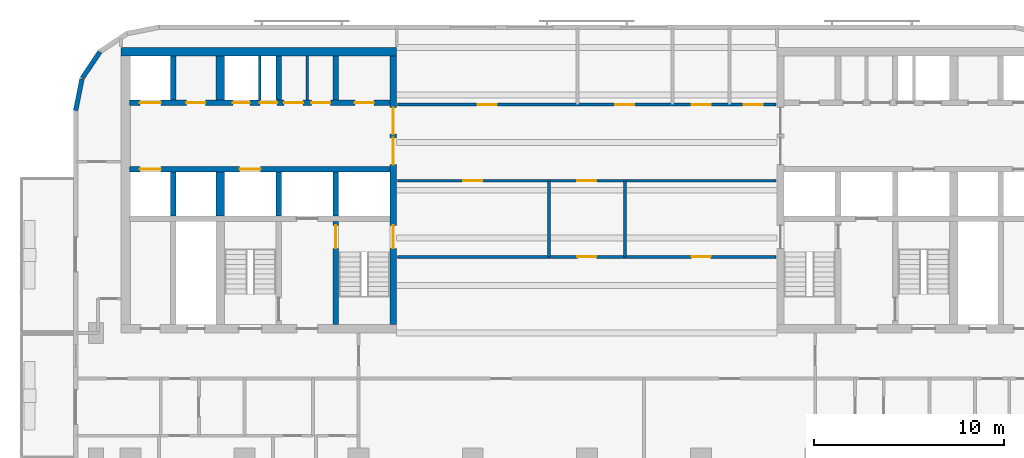
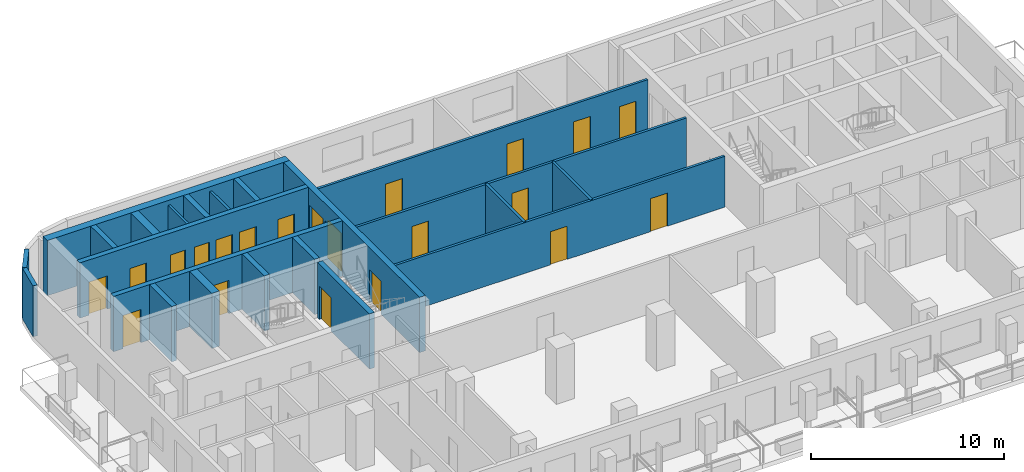
# One storey, part 4 of 11: 22 walls, 21 doors, 21 openings.
"""IFC4 building model written with IfcOpenShell, lengths in metres."""

from ifc_helpers import new_model, si_unit, direction, frame, frame_2d, origin, place, context, subcontext, project, spatial, rectangle, extrude, material, layer, layer_set, type_object, element, fill, save


model = new_model("IFC4")

# Units and contexts
model_context = context("Model", 3, precision=1e-05, world=origin(), true_north=direction((0.0, 1.0)))
body_context = subcontext(model_context, "Body", "Model", "MODEL_VIEW")
ifc_project = project(units=[si_unit("LENGTHUNIT", "METRE"), si_unit("AREAUNIT", "SQUARE_METRE"), si_unit("VOLUMEUNIT", "CUBIC_METRE"), si_unit("PLANEANGLEUNIT", "RADIAN"), si_unit("MASSUNIT", "GRAM", prefix="KILO")], contexts=[model_context])

# Site, building, storey
site_placement = place(None, origin())
site = spatial("IfcSite", under=ifc_project, at=site_placement, CompositionType="ELEMENT")
building_placement = place(site_placement, origin())
building = spatial("IfcBuilding", under=site, at=building_placement, Name="Torana Hotel and Residences", CompositionType="ELEMENT")
storey_placement = place(building_placement, frame((0.0, 0.0, 208.10009765625)))
storey = spatial("IfcBuildingStorey", under=building, at=storey_placement, Name="L54", CompositionType="ELEMENT", Elevation=208.10009765625)

# Wall, openings, doors
ifc_material_1 = material(Name="Concrete C70/85", Category="concrete")
ifc_layer_1 = layer(ifc_material_1, 0.300048828125)
ifc_layer_set_1 = layer_set([ifc_layer_1], Name="CORE WALL 300 C70/85")
wall_type_1 = type_object("IfcWallType", Name="CORE WALL 300 C70/85", PredefinedType="SHEAR", material=ifc_layer_set_1)
wall_1_placement = place(storey_placement, frame((-24.050048828125, -2.89990234375, 0.0), z_axis=(0.0, 0.0, 1.0), x_axis=(1.0, 0.0, 0.0)))
wall_1 = element("IfcWall", 1, at=wall_1_placement, inside=storey, type_object=wall_type_1, Name="Core wall W row-N", PredefinedType="SHEAR", context=body_context, shape_type="SweptSolid", body=[
    extrude(rectangle(XDim=13.699951171875, YDim=0.300048828125, at=frame_2d((6.85009765625, 0.0))), origin(), (0.0, 0.0, 1.0), 3.5),
])
opening_1_placement = place(wall_1_placement, frame((0.550048828125, 0.0, 0.0)))
opening_1 = element("IfcOpeningElement", 2, at=opening_1_placement, cuts=wall_1, Name="Opening LD", PredefinedType="OPENING", context=body_context, shape_type="SweptSolid", body=[
    extrude(rectangle(XDim=1.10009765625, YDim=2.10009765625, at=frame_2d((0.550048828125, 1.050048828125))), frame((0.0, 0.159912109375, 0.0), z_axis=(0.0, -1.0, 0.0), x_axis=(1.0, 0.0, 0.0)), (0.0, 0.0, 1.0), 0.320068359375),
])
opening_2_placement = place(wall_1_placement, frame((6.862548828125, 0.0, 0.0)))
opening_2 = element("IfcOpeningElement", 3, at=opening_2_placement, cuts=wall_1, Name="Opening L54-08", PredefinedType="OPENING", context=body_context, shape_type="SweptSolid", body=[
    extrude(rectangle(XDim=0.89990234375, YDim=2.10009765625, at=frame_2d((0.449951171875, 1.050048828125))), frame((0.0, 0.159912109375, 0.0), z_axis=(0.0, -1.0, 0.0), x_axis=(1.0, 0.0, 0.0)), (0.0, 0.0, 1.0), 0.320068359375),
])
opening_3_placement = place(wall_1_placement, frame((5.4375, 0.0, 0.0)))
opening_3 = element("IfcOpeningElement", 4, at=opening_3_placement, cuts=wall_1, Name="Opening L54-09", PredefinedType="OPENING", context=body_context, shape_type="SweptSolid", body=[
    extrude(rectangle(XDim=0.89990234375, YDim=2.10009765625, at=frame_2d((0.449951171875, 1.050048828125))), frame((0.0, 0.159912109375, 0.0), z_axis=(0.0, -1.0, 0.0), x_axis=(1.0, 0.0, 0.0)), (0.0, 0.0, 1.0), 0.320068359375),
])
opening_4_placement = place(wall_1_placement, frame((11.85009765625, 0.0, 0.0)))
opening_4 = element("IfcOpeningElement", 5, at=opening_4_placement, cuts=wall_1, Name="Opening L54-10", PredefinedType="OPENING", context=body_context, shape_type="SweptSolid", body=[
    extrude(rectangle(XDim=1.0, YDim=2.10009765625, at=frame_2d((0.5, 1.050048828125))), frame((0.0, 0.159912109375, 0.0), z_axis=(0.0, -1.0, 0.0), x_axis=(1.0, 0.0, 0.0)), (0.0, 0.0, 1.0), 0.320068359375),
])
opening_5_placement = place(wall_1_placement, frame((9.5625, 0.0, 0.0)))
opening_5 = element("IfcOpeningElement", 6, at=opening_5_placement, cuts=wall_1, Name="Opening L54-11", PredefinedType="OPENING", context=body_context, shape_type="SweptSolid", body=[
    extrude(rectangle(XDim=1.0, YDim=2.10009765625, at=frame_2d((0.5, 1.050048828125))), frame((0.0, 0.159912109375, 0.0), z_axis=(0.0, -1.0, 0.0), x_axis=(1.0, 0.0, 0.0)), (0.0, 0.0, 1.0), 0.320068359375),
])
opening_6_placement = place(wall_1_placement, frame((8.137451171875, 0.0, 0.0)))
opening_6 = element("IfcOpeningElement", 7, at=opening_6_placement, cuts=wall_1, Name="Opening L54-12", PredefinedType="OPENING", context=body_context, shape_type="SweptSolid", body=[
    extrude(rectangle(XDim=1.0, YDim=2.10009765625, at=frame_2d((0.5, 1.050048828125))), frame((0.0, 0.159912109375, 0.0), z_axis=(0.0, -1.0, 0.0), x_axis=(1.0, 0.0, 0.0)), (0.0, 0.0, 1.0), 0.320068359375),
])
opening_7_placement = place(wall_1_placement, frame((3.0, 0.0, 0.0)))
opening_7 = element("IfcOpeningElement", 8, at=opening_7_placement, cuts=wall_1, Name="Opening L54-13", PredefinedType="OPENING", context=body_context, shape_type="SweptSolid", body=[
    extrude(rectangle(XDim=1.0, YDim=2.10009765625, at=frame_2d((0.5, 1.050048828125))), frame((0.0, 0.159912109375, 0.0), z_axis=(0.0, -1.0, 0.0), x_axis=(1.0, 0.0, 0.0)), (0.0, 0.0, 1.0), 0.320068359375),
])
ifc_material_2 = material(Name="Steel S235", Category="steel")
door_type_1 = type_object("IfcDoorType", Name="CORE ROOM FIRE DOOR D14 1000x2100", OperationType="SINGLE_SWING_LEFT", PredefinedType="DOOR", material=ifc_material_2)
door_1_placement = place(opening_4_placement, origin())
door_1 = element("IfcDoor", 9, at=door_1_placement, inside=storey, type_object=door_type_1, Name="N0 door L54", OperationType="SINGLE_SWING_RIGHT", OverallHeight=2.10009765625, OverallWidth=1.0, PredefinedType="DOOR", context=body_context, shape_type="SweptSolid", body=[
    extrude(rectangle(XDim=1.0, YDim=2.10009765625, at=frame_2d((0.5, 1.050048828125))), frame((0.0, 0.02490234375, 0.0), z_axis=(0.0, -1.0, 0.0), x_axis=(1.0, 0.0, 0.0)), (0.0, 0.0, 1.0), 0.050048828125),
])
fill(opening_4, door_1)
door_2_placement = place(opening_5_placement, origin())
door_2 = element("IfcDoor", 10, at=door_2_placement, inside=storey, type_object=door_type_1, Name="N1A door L54", OperationType="SINGLE_SWING_RIGHT", OverallHeight=2.10009765625, OverallWidth=1.0, PredefinedType="DOOR", context=body_context, shape_type="SweptSolid", body=[
    extrude(rectangle(XDim=1.0, YDim=2.10009765625, at=frame_2d((0.5, 1.050048828125))), frame((0.0, 0.02490234375, 0.0), z_axis=(0.0, -1.0, 0.0), x_axis=(1.0, 0.0, 0.0)), (0.0, 0.0, 1.0), 0.050048828125),
])
fill(opening_5, door_2)
door_3_placement = place(opening_6_placement, origin())
door_3 = element("IfcDoor", 11, at=door_3_placement, inside=storey, type_object=door_type_1, Name="N1B door L54", OperationType="SINGLE_SWING_RIGHT", OverallHeight=2.10009765625, OverallWidth=1.0, PredefinedType="DOOR", context=body_context, shape_type="SweptSolid", body=[
    extrude(rectangle(XDim=1.0, YDim=2.10009765625, at=frame_2d((0.5, 1.050048828125))), frame((0.0, 0.02490234375, 0.0), z_axis=(0.0, -1.0, 0.0), x_axis=(1.0, 0.0, 0.0)), (0.0, 0.0, 1.0), 0.050048828125),
])
fill(opening_6, door_3)
door_4_placement = place(opening_7_placement, origin())
door_4 = element("IfcDoor", 12, at=door_4_placement, inside=storey, type_object=door_type_1, Name="Freed-S1 door L54", OperationType="SINGLE_SWING_RIGHT", OverallHeight=2.10009765625, OverallWidth=1.0, PredefinedType="DOOR", context=body_context, shape_type="SweptSolid", body=[
    extrude(rectangle(XDim=1.0, YDim=2.10009765625, at=frame_2d((0.5, 1.050048828125))), frame((0.0, 0.02490234375, 0.0), z_axis=(0.0, -1.0, 0.0), x_axis=(1.0, 0.0, 0.0)), (0.0, 0.0, 1.0), 0.050048828125),
])
fill(opening_7, door_4)
ifc_material_3 = material(Name="Stainless steel 316", Category="steel")
door_type_2 = type_object("IfcDoorType", Name="LIFT LANDING DOOR LD 1100x2100", OperationType="DOUBLE_DOOR_SLIDING", PredefinedType="USERDEFINED", material=ifc_material_3)
door_5_placement = place(opening_1_placement, origin())
door_5 = element("IfcDoor", 13, at=door_5_placement, inside=storey, type_object=door_type_2, Name="Lift landing door M1 L54", ObjectType="LIFT LANDING DOOR", OperationType="DOUBLE_DOOR_SLIDING", OverallHeight=2.10009765625, OverallWidth=1.10009765625, PredefinedType="USERDEFINED", context=body_context, shape_type="SweptSolid", body=[
    extrude(rectangle(XDim=1.10009765625, YDim=2.10009765625, at=frame_2d((0.550048828125, 1.050048828125))), frame((0.0, 0.02490234375, 0.0), z_axis=(0.0, -1.0, 0.0), x_axis=(1.0, 0.0, 0.0)), (0.0, 0.0, 1.0), 0.050048828125),
])
fill(opening_1, door_5)
ifc_material_4 = material(Name="Steel S235", Category="steel")
door_type_3 = type_object("IfcDoorType", Name="RISER ACCESS DOOR D5 900x2100", OperationType="SINGLE_SWING_LEFT", PredefinedType="DOOR", material=ifc_material_4)
door_6_placement = place(opening_2_placement, origin())
door_6 = element("IfcDoor", 14, at=door_6_placement, inside=storey, type_object=door_type_3, Name="N2A door L54", OperationType="SINGLE_SWING_LEFT", OverallHeight=2.10009765625, OverallWidth=0.89990234375, PredefinedType="DOOR", context=body_context, shape_type="SweptSolid", body=[
    extrude(rectangle(XDim=0.89990234375, YDim=2.10009765625, at=frame_2d((0.449951171875, 1.050048828125))), frame((0.0, 0.02490234375, 0.0), z_axis=(0.0, -1.0, 0.0), x_axis=(1.0, 0.0, 0.0)), (0.0, 0.0, 1.0), 0.050048828125),
])
fill(opening_2, door_6)
door_7_placement = place(opening_3_placement, origin())
door_7 = element("IfcDoor", 15, at=door_7_placement, inside=storey, type_object=door_type_3, Name="N2B door L54", OperationType="SINGLE_SWING_RIGHT", OverallHeight=2.10009765625, OverallWidth=0.89990234375, PredefinedType="DOOR", context=body_context, shape_type="SweptSolid", body=[
    extrude(rectangle(XDim=0.89990234375, YDim=2.10009765625, at=frame_2d((0.449951171875, 1.050048828125))), frame((0.0, 0.02490234375, 0.0), z_axis=(0.0, -1.0, 0.0), x_axis=(1.0, 0.0, 0.0)), (0.0, 0.0, 1.0), 0.050048828125),
])
fill(opening_3, door_7)

wall_2_placement = place(storey_placement, frame((-24.050048828125, -6.39990234375, 0.0), z_axis=(0.0, 0.0, 1.0), x_axis=(1.0, 0.0, 0.0)))
wall_2 = element("IfcWall", 16, at=wall_2_placement, inside=storey, type_object=wall_type_1, Name="Core wall W row-S", PredefinedType="SHEAR", context=body_context, shape_type="SweptSolid", body=[
    extrude(rectangle(XDim=13.699951171875, YDim=0.300048828125, at=frame_2d((6.85009765625, 0.0))), origin(), (0.0, 0.0, 1.0), 3.5),
])
opening_8_placement = place(wall_2_placement, frame((0.550048828125, 0.0, 0.0)))
opening_8 = element("IfcOpeningElement", 17, at=opening_8_placement, cuts=wall_2, Name="Opening LD", PredefinedType="OPENING", context=body_context, shape_type="SweptSolid", body=[
    extrude(rectangle(XDim=1.10009765625, YDim=2.10009765625, at=frame_2d((0.550048828125, 1.050048828125))), frame((0.0, 0.159912109375, 0.0), z_axis=(0.0, -1.0, 0.0), x_axis=(1.0, 0.0, 0.0)), (0.0, 0.0, 1.0), 0.320068359375),
])
opening_9_placement = place(wall_2_placement, frame((5.800048828125, 0.0, 0.0)))
opening_9 = element("IfcOpeningElement", 18, at=opening_9_placement, cuts=wall_2, Name="Opening LD", PredefinedType="OPENING", context=body_context, shape_type="SweptSolid", body=[
    extrude(rectangle(XDim=1.10009765625, YDim=2.10009765625, at=frame_2d((0.550048828125, 1.050048828125))), frame((0.0, 0.159912109375, 0.0), z_axis=(0.0, -1.0, 0.0), x_axis=(1.0, 0.0, 0.0)), (0.0, 0.0, 1.0), 0.320068359375),
])
door_8_placement = place(opening_8_placement, origin())
door_8 = element("IfcDoor", 19, at=door_8_placement, inside=storey, type_object=door_type_2, Name="Lift landing door M2 L54", ObjectType="LIFT LANDING DOOR", OperationType="DOUBLE_DOOR_SLIDING", OverallHeight=2.10009765625, OverallWidth=1.10009765625, PredefinedType="USERDEFINED", context=body_context, shape_type="SweptSolid", body=[
    extrude(rectangle(XDim=1.10009765625, YDim=2.10009765625, at=frame_2d((0.550048828125, 1.050048828125))), frame((0.0, 0.02490234375, 0.0), z_axis=(0.0, -1.0, 0.0), x_axis=(1.0, 0.0, 0.0)), (0.0, 0.0, 1.0), 0.050048828125),
])
fill(opening_8, door_8)
door_9_placement = place(opening_9_placement, origin())
door_9 = element("IfcDoor", 20, at=door_9_placement, inside=storey, type_object=door_type_2, Name="Lift landing door SV1 L54", ObjectType="LIFT LANDING DOOR", OperationType="DOUBLE_DOOR_SLIDING", OverallHeight=2.10009765625, OverallWidth=1.10009765625, PredefinedType="USERDEFINED", context=body_context, shape_type="SweptSolid", body=[
    extrude(rectangle(XDim=1.10009765625, YDim=2.10009765625, at=frame_2d((0.550048828125, 1.050048828125))), frame((0.0, 0.02490234375, 0.0), z_axis=(0.0, -1.0, 0.0), x_axis=(1.0, 0.0, 0.0)), (0.0, 0.0, 1.0), 0.050048828125),
])
fill(opening_9, door_9)

# Walls
for number, where, z_axis, x_axis, name in (
    (21, (-13.199951171875, -2.75, 0.0), (0.0, 0.0, 1.0), (0.0, 1.0, 0.0), "Core wall W x3.05-N"),
    (22, (-13.199951171875, -8.85009765625, 0.0), (0.0, 0.0, 1.0), (0.0, 1.0, 0.0), "Core wall W x3.05-S"),
):
    element("IfcWall", number, at=place(storey_placement, frame(where, z_axis=z_axis, x_axis=x_axis)), inside=storey, type_object=wall_type_1, Name=name, PredefinedType="SHEAR", context=body_context, shape_type="SweptSolid", body=[
        extrude(rectangle(XDim=2.300048828125, YDim=0.300048828125, at=frame_2d((1.14990234375, 0.0))), origin(), (0.0, 0.0, 1.0), 3.5),
    ])

# Wall, opening, door
wall_3_placement = place(storey_placement, frame((-13.199951171875, -14.550048828125, 0.0), z_axis=(0.0, 0.0, 1.0), x_axis=(0.0, 1.0, 0.0)))
wall_3 = element("IfcWall", 23, at=wall_3_placement, inside=storey, type_object=wall_type_1, Name="Core wall W x3.05-band", PredefinedType="SHEAR", context=body_context, shape_type="SweptSolid", body=[
    extrude(rectangle(XDim=5.400146484375, YDim=0.300048828125, at=frame_2d((2.7001953125, 0.0))), origin(), (0.0, 0.0, 1.0), 3.5),
])
opening_10_placement = place(wall_3_placement, frame((4.0, 0.0, 0.0)))
opening_10 = element("IfcOpeningElement", 24, at=opening_10_placement, cuts=wall_3, Name="Opening L54-14", PredefinedType="OPENING", context=body_context, shape_type="SweptSolid", body=[
    extrude(rectangle(XDim=1.199951171875, YDim=2.10009765625, at=frame_2d((0.60009765625, 1.050048828125))), frame((0.0, 0.159912109375, 0.0), z_axis=(0.0, -1.0, 0.0), x_axis=(1.0, 0.0, 0.0)), (0.0, 0.0, 1.0), 0.320068359375),
])
ifc_material_5 = material(Name="Steel S235", Category="steel")
door_type_4 = type_object("IfcDoorType", Name="STAIR FIRE DOOR D3 1200x2100", OperationType="SINGLE_SWING_LEFT", PredefinedType="DOOR", material=ifc_material_5)
door_10_placement = place(opening_10_placement, frame((0.60009765625, 0.0, 0.0), z_axis=(0.0, 0.0, 1.0), x_axis=(-1.0, 0.0, 0.0)))
door_10 = element("IfcDoor", 25, at=door_10_placement, inside=storey, type_object=door_type_4, Name="Stair-A-lobby door L54", OperationType="SINGLE_SWING_RIGHT", OverallHeight=2.10009765625, OverallWidth=1.199951171875, PredefinedType="DOOR", context=body_context, shape_type="SweptSolid", body=[
    extrude(rectangle(XDim=1.199951171875, YDim=2.10009765625, at=frame_2d((0.0, 1.050048828125))), frame((0.0, -0.02490234375, 0.0), z_axis=(0.0, 1.0, 0.0), x_axis=(-1.0, 0.0, 0.0)), (0.0, 0.0, 1.0), 0.050048828125),
])
fill(opening_10, door_10)

# Walls
for number, where, z_axis, x_axis, name in (
    (26, (-16.199951171875, -2.75, 0.0), (0.0, 0.0, 1.0), (0.0, 1.0, 0.0), "Core wall W x6.05-N"),
    (27, (-16.199951171875, -8.85009765625, 0.0), (0.0, 0.0, 1.0), (0.0, 1.0, 0.0), "Core wall W x6.05-S"),
    (28, (-21.75, -2.75, 0.0), (0.0, 0.0, 1.0), (0.0, 1.0, 0.0), "Core wall W mm-N"),
    (29, (-21.75, -8.85009765625, 0.0), (0.0, 0.0, 1.0), (0.0, 1.0, 0.0), "Core wall W mm-S"),
):
    element("IfcWall", number, at=place(storey_placement, frame(where, z_axis=z_axis, x_axis=x_axis)), inside=storey, type_object=wall_type_1, Name=name, PredefinedType="SHEAR", context=body_context, shape_type="SweptSolid", body=[
        extrude(rectangle(XDim=2.300048828125, YDim=0.300048828125, at=frame_2d((1.14990234375, 0.0))), origin(), (0.0, 0.0, 1.0), 3.5),
    ])

# Wall, openings, doors
ifc_material_6 = material(Name="Concrete C70/85", Category="concrete")
ifc_layer_2 = layer(ifc_material_6, 0.35009765625)
ifc_layer_set_2 = layer_set([ifc_layer_2], Name="CORE WALL 350 C70/85")
wall_type_2 = type_object("IfcWallType", Name="CORE WALL 350 C70/85", PredefinedType="SHEAR", material=ifc_layer_set_2)
wall_4_placement = place(storey_placement, frame((-10.175048828125, -14.550048828125, 0.0), z_axis=(0.0, 0.0, 1.0), x_axis=(0.0, 1.0, 0.0)))
wall_4 = element("IfcWall", 30, at=wall_4_placement, inside=storey, type_object=wall_type_2, Name="Core wall W arch", PredefinedType="SHEAR", context=body_context, shape_type="SweptSolid", body=[
    extrude(rectangle(XDim=14.10009765625, YDim=0.35009765625, at=frame_2d((7.050048828125, 0.0))), origin(), (0.0, 0.0, 1.0), 3.5),
])
opening_11_placement = place(wall_4_placement, frame((8.39990234375, 0.0, 0.0)))
opening_11 = element("IfcOpeningElement", 31, at=opening_11_placement, cuts=wall_4, Name="Opening L54-01", PredefinedType="OPENING", context=body_context, shape_type="SweptSolid", body=[
    extrude(rectangle(XDim=1.39990234375, YDim=2.39990234375, at=frame_2d((0.699951171875, 1.199951171875))), frame((0.0, 0.18505859375, 0.0), z_axis=(0.0, -1.0, 0.0), x_axis=(1.0, 0.0, 0.0)), (0.0, 0.0, 1.0), 0.3701171875),
])
opening_12_placement = place(wall_4_placement, frame((10.0, 0.0, 0.0)))
opening_12 = element("IfcOpeningElement", 32, at=opening_12_placement, cuts=wall_4, Name="Opening L54-02", PredefinedType="OPENING", context=body_context, shape_type="SweptSolid", body=[
    extrude(rectangle(XDim=1.39990234375, YDim=2.39990234375, at=frame_2d((0.699951171875, 1.199951171875))), frame((0.0, 0.18505859375, 0.0), z_axis=(0.0, -1.0, 0.0), x_axis=(1.0, 0.0, 0.0)), (0.0, 0.0, 1.0), 0.3701171875),
])
opening_13_placement = place(wall_4_placement, frame((4.0, 0.0, 0.0)))
opening_13 = element("IfcOpeningElement", 33, at=opening_13_placement, cuts=wall_4, Name="Opening L54-03", PredefinedType="OPENING", context=body_context, shape_type="SweptSolid", body=[
    extrude(rectangle(XDim=1.199951171875, YDim=2.10009765625, at=frame_2d((0.60009765625, 1.050048828125))), frame((0.0, 0.18505859375, 0.0), z_axis=(0.0, -1.0, 0.0), x_axis=(1.0, 0.0, 0.0)), (0.0, 0.0, 1.0), 0.3701171875),
])
ifc_material_7 = material(Name="Steel S235", Category="steel")
door_type_5 = type_object("IfcDoorType", Name="LOBBY FIRE DOOR D4 1400x2400", OperationType="DOUBLE_DOOR_SINGLE_SWING", PredefinedType="DOOR", material=ifc_material_7)
door_11_placement = place(opening_11_placement, origin())
door_11 = element("IfcDoor", 34, at=door_11_placement, inside=storey, type_object=door_type_5, Name="Lobby-1 door L54", OperationType="DOUBLE_DOOR_SINGLE_SWING", OverallHeight=2.39990234375, OverallWidth=1.39990234375, PredefinedType="DOOR", context=body_context, shape_type="SweptSolid", body=[
    extrude(rectangle(XDim=1.39990234375, YDim=2.39990234375, at=frame_2d((0.699951171875, 1.199951171875))), frame((0.0, 0.02490234375, 0.0), z_axis=(0.0, -1.0, 0.0), x_axis=(1.0, 0.0, 0.0)), (0.0, 0.0, 1.0), 0.050048828125),
])
fill(opening_11, door_11)
door_12_placement = place(opening_12_placement, origin())
door_12 = element("IfcDoor", 35, at=door_12_placement, inside=storey, type_object=door_type_5, Name="Lobby-2 door L54", OperationType="DOUBLE_DOOR_SINGLE_SWING", OverallHeight=2.39990234375, OverallWidth=1.39990234375, PredefinedType="DOOR", context=body_context, shape_type="SweptSolid", body=[
    extrude(rectangle(XDim=1.39990234375, YDim=2.39990234375, at=frame_2d((0.699951171875, 1.199951171875))), frame((0.0, 0.02490234375, 0.0), z_axis=(0.0, -1.0, 0.0), x_axis=(1.0, 0.0, 0.0)), (0.0, 0.0, 1.0), 0.050048828125),
])
fill(opening_12, door_12)
door_13_placement = place(opening_13_placement, origin())
door_13 = element("IfcDoor", 36, at=door_13_placement, inside=storey, type_object=door_type_4, Name="Stair-A door L54", OperationType="SINGLE_SWING_LEFT", OverallHeight=2.10009765625, OverallWidth=1.199951171875, PredefinedType="DOOR", context=body_context, shape_type="SweptSolid", body=[
    extrude(rectangle(XDim=1.199951171875, YDim=2.10009765625, at=frame_2d((0.60009765625, 1.050048828125))), frame((0.0, 0.02490234375, 0.0), z_axis=(0.0, -1.0, 0.0), x_axis=(1.0, 0.0, 0.0)), (0.0, 0.0, 1.0), 0.050048828125),
])
fill(opening_13, door_13)

# Walls
ifc_material_8 = material(Name="Concrete C70/85", Category="concrete")
ifc_layer_3 = layer(ifc_material_8, 0.449951171875)
ifc_layer_set_3 = layer_set([ifc_layer_3], Name="CORE WALL 450 C70/85")
wall_type_3 = type_object("IfcWallType", Name="CORE WALL 450 C70/85", PredefinedType="SHEAR", material=ifc_layer_set_3)
wall_5_placement = place(storey_placement, frame((-24.5, -0.22509765625, 0.0), z_axis=(0.0, 0.0, 1.0), x_axis=(1.0, 0.0, 0.0)))
element("IfcWall", 37, at=wall_5_placement, inside=storey, type_object=wall_type_3, Name="Core wall W rear", PredefinedType="SHEAR", context=body_context, shape_type="SweptSolid", body=[
    extrude(rectangle(XDim=14.5, YDim=0.449951171875, at=frame_2d((7.25, 0.0))), origin(), (0.0, 0.0, 1.0), 3.5),
])
for number, where, z_axis, x_axis, name in (
    (38, (-19.27490234375, -2.75, 0.0), (0.0, 0.0, 1.0), (0.0, 1.0, 0.0), "Core wall W hm-N"),
    (39, (-19.27490234375, -8.85009765625, 0.0), (0.0, 0.0, 1.0), (0.0, 1.0, 0.0), "Core wall W hm-S"),
):
    element("IfcWall", number, at=place(storey_placement, frame(where, z_axis=z_axis, x_axis=x_axis)), inside=storey, type_object=wall_type_3, Name=name, PredefinedType="SHEAR", context=body_context, shape_type="SweptSolid", body=[
        extrude(rectangle(XDim=2.300048828125, YDim=0.449951171875, at=frame_2d((1.14990234375, 0.0))), origin(), (0.0, 0.0, 1.0), 3.5),
    ])
ifc_material_9 = material(Name="Black aluminium composite panel", Category="aluminium")
ifc_layer_4 = layer(ifc_material_9, 0.00390625, Name="Cladding", Category="cladding")
ifc_material_10 = material(Name="Ventilated air cavity")
ifc_layer_5 = layer(ifc_material_10, 0.0400390625, Name="Ventilated cavity", Category="cavity")
ifc_material_11 = material(Name="Mineral wool insulation")
ifc_layer_6 = layer(ifc_material_11, 0.090087890625, Name="Insulation", Category="insulation")
ifc_material_12 = material(Name="Steel S280GD", Category="steel")
ifc_layer_7 = layer(ifc_material_12, 0.092041015625, Name="Steel stud frame", Category="structure")
ifc_material_13 = material(Name="Fire rated plasterboard")
ifc_layer_8 = layer(ifc_material_13, 0.011962890625, Name="Inner board", Category="finish")
ifc_layer_9 = layer(ifc_material_13, 0.011962890625, Name="Second board", Category="finish")
ifc_layer_set_4 = layer_set([ifc_layer_4, ifc_layer_5, ifc_layer_6, ifc_layer_7, ifc_layer_8, ifc_layer_9], Name="EW1 EXTERNAL WALL BLACK METAL CLAD 250")
wall_type_4 = type_object("IfcWallType", Name="EW1 EXTERNAL WALL BLACK METAL CLAD 250", PredefinedType="SOLIDWALL", material=ifc_layer_set_4)
wall_6_placement = place(storey_placement, frame((-25.605712890625, -0.228759765625, 0.0), z_axis=(0.0, 0.0, 1.0), x_axis=(-0.55555029066, -0.831482937015, 0.0)))
element("IfcWall", 40, at=wall_6_placement, inside=storey, type_object=wall_type_4, Name="External wall L54 e0.7", PredefinedType="SOLIDWALL", context=body_context, shape_type="SweptSolid", body=[
    extrude(rectangle(XDim=1.65625, YDim=0.25, at=frame_2d((0.828125, 0.0))), origin(), (0.0, 0.0, 1.0), 3.219970703125),
])
wall_7_placement = place(storey_placement, frame((-26.544677734375, -1.651123046875, 0.0), z_axis=(0.0, 0.0, 1.0), x_axis=(-0.194999110559, -0.980803419081, 0.0)))
element("IfcWall", 41, at=wall_7_placement, inside=storey, type_object=wall_type_4, Name="External wall L54 e0.8", PredefinedType="SOLIDWALL", context=body_context, shape_type="SweptSolid", body=[
    extrude(rectangle(XDim=1.681396484375, YDim=0.25, at=frame_2d((0.8408203125, 0.0))), origin(), (0.0, 0.0, 1.0), 3.219970703125),
])
ifc_material_14 = material(Name="Gypsum plaster")
ifc_layer_10 = layer(ifc_material_14, 0.014892578125, Name="Plaster", Category="finish")
ifc_material_15 = material(Name="Concrete blockwork", Category="masonry")
ifc_layer_11 = layer(ifc_material_15, 0.1201171875, Name="Blockwork", Category="structure")
ifc_layer_12 = layer(ifc_material_14, 0.014892578125, Name="Plaster", Category="finish")
ifc_layer_set_5 = layer_set([ifc_layer_10, ifc_layer_11, ifc_layer_12], Name="FIRE PARTITION 150 BLOCKWORK")
wall_type_5 = type_object("IfcWallType", Name="FIRE PARTITION 150 BLOCKWORK", PredefinedType="PARTITIONING", material=ifc_layer_set_5)
for number, where, z_axis, x_axis, name in (
    (42, (-17.199951171875, -2.75, 0.0), (0.0, 0.0, 1.0), (0.0, 1.0, 0.0), "Core partition L54"),
    (43, (-14.699951171875, -2.75, 0.0), (0.0, 0.0, 1.0), (0.0, 1.0, 0.0), "Core partition L54"),
):
    element("IfcWall", number, at=place(storey_placement, frame(where, z_axis=z_axis, x_axis=x_axis)), inside=storey, type_object=wall_type_5, Name=name, PredefinedType="PARTITIONING", context=body_context, shape_type="SweptSolid", body=[
        extrude(rectangle(XDim=2.300048828125, YDim=0.14990234375, at=frame_2d((1.14990234375, 0.0))), origin(), (0.0, 0.0, 1.0), 3.199951171875),
    ])
for number, where, z_axis, x_axis, name in (
    (44, (2.0, -11.0, 0.0), (0.0, 0.0, 1.0), (0.0, 1.0, 0.0), "Partition L54"),
    (45, (-2.0, -11.0, 0.0), (0.0, 0.0, 1.0), (0.0, 1.0, 0.0), "Partition L54"),
):
    element("IfcWall", number, at=place(storey_placement, frame(where, z_axis=z_axis, x_axis=x_axis)), inside=storey, type_object=wall_type_5, Name=name, PredefinedType="PARTITIONING", context=body_context, shape_type="SweptSolid", body=[
        extrude(rectangle(XDim=4.0, YDim=0.14990234375, at=frame_2d((2.0, 0.0))), origin(), (0.0, 0.0, 1.0), 3.219970703125),
    ])

# Wall, openings, doors
wall_8_placement = place(storey_placement, frame((-9.949951171875, -11.0, 0.0), z_axis=(0.0, 0.0, 1.0), x_axis=(1.0, 0.0, 0.0)))
wall_8 = element("IfcWall", 46, at=wall_8_placement, inside=storey, type_object=wall_type_5, Name="Partition L54", PredefinedType="PARTITIONING", context=body_context, shape_type="SweptSolid", body=[
    extrude(rectangle(XDim=19.89990234375, YDim=0.14990234375, at=frame_2d((9.949951171875, 0.0))), origin(), (0.0, 0.0, 1.0), 3.219970703125),
])
opening_14_placement = place(wall_8_placement, frame((9.449951171875, 0.0, 0.0)))
opening_14 = element("IfcOpeningElement", 47, at=opening_14_placement, cuts=wall_8, Name="Opening L54-40", PredefinedType="OPENING", context=body_context, shape_type="SweptSolid", body=[
    extrude(rectangle(XDim=1.0, YDim=2.10009765625, at=frame_2d((0.5, 1.050048828125))), frame((0.0, 0.0849609375, 0.0), z_axis=(0.0, -1.0, 0.0), x_axis=(1.0, 0.0, 0.0)), (0.0, 0.0, 1.0), 0.169921875),
])
opening_15_placement = place(wall_8_placement, frame((15.449951171875, 0.0, 0.0)))
opening_15 = element("IfcOpeningElement", 48, at=opening_15_placement, cuts=wall_8, Name="Opening L54-43", PredefinedType="OPENING", context=body_context, shape_type="SweptSolid", body=[
    extrude(rectangle(XDim=1.0, YDim=2.10009765625, at=frame_2d((0.5, 1.050048828125))), frame((0.0, 0.0849609375, 0.0), z_axis=(0.0, -1.0, 0.0), x_axis=(1.0, 0.0, 0.0)), (0.0, 0.0, 1.0), 0.169921875),
])
ifc_material_16 = material(Name="Steel S235", Category="steel")
door_type_6 = type_object("IfcDoorType", Name="ENTRY FIRE DOOR D6 1000x2100", OperationType="SINGLE_SWING_LEFT", PredefinedType="DOOR", material=ifc_material_16)
door_14_placement = place(opening_14_placement, origin())
door_14 = element("IfcDoor", 49, at=door_14_placement, inside=storey, type_object=door_type_6, Name="Door L54", OperationType="SINGLE_SWING_RIGHT", OverallHeight=2.10009765625, OverallWidth=1.0, PredefinedType="DOOR", context=body_context, shape_type="SweptSolid", body=[
    extrude(rectangle(XDim=1.0, YDim=2.10009765625, at=frame_2d((0.5, 1.050048828125))), frame((0.0, 0.02490234375, 0.0), z_axis=(0.0, -1.0, 0.0), x_axis=(1.0, 0.0, 0.0)), (0.0, 0.0, 1.0), 0.050048828125),
])
fill(opening_14, door_14)
door_15_placement = place(opening_15_placement, origin())
door_15 = element("IfcDoor", 50, at=door_15_placement, inside=storey, type_object=door_type_6, Name="Door L54", OperationType="SINGLE_SWING_RIGHT", OverallHeight=2.10009765625, OverallWidth=1.0, PredefinedType="DOOR", context=body_context, shape_type="SweptSolid", body=[
    extrude(rectangle(XDim=1.0, YDim=2.10009765625, at=frame_2d((0.5, 1.050048828125))), frame((0.0, 0.02490234375, 0.0), z_axis=(0.0, -1.0, 0.0), x_axis=(1.0, 0.0, 0.0)), (0.0, 0.0, 1.0), 0.050048828125),
])
fill(opening_15, door_15)

wall_9_placement = place(storey_placement, frame((-9.949951171875, -7.0, 0.0), z_axis=(0.0, 0.0, 1.0), x_axis=(1.0, 0.0, 0.0)))
wall_9 = element("IfcWall", 51, at=wall_9_placement, inside=storey, type_object=wall_type_5, Name="Partition L54", PredefinedType="PARTITIONING", context=body_context, shape_type="SweptSolid", body=[
    extrude(rectangle(XDim=19.89990234375, YDim=0.14990234375, at=frame_2d((9.949951171875, 0.0))), origin(), (0.0, 0.0, 1.0), 3.219970703125),
])
opening_16_placement = place(wall_9_placement, frame((9.449951171875, 0.0, 0.0)))
opening_16 = element("IfcOpeningElement", 52, at=opening_16_placement, cuts=wall_9, Name="Opening L54-44", PredefinedType="OPENING", context=body_context, shape_type="SweptSolid", body=[
    extrude(rectangle(XDim=1.0, YDim=2.10009765625, at=frame_2d((0.5, 1.050048828125))), frame((0.0, 0.0849609375, 0.0), z_axis=(0.0, -1.0, 0.0), x_axis=(1.0, 0.0, 0.0)), (0.0, 0.0, 1.0), 0.169921875),
])
opening_17_placement = place(wall_9_placement, frame((3.449951171875, 0.0, 0.0)))
opening_17 = element("IfcOpeningElement", 53, at=opening_17_placement, cuts=wall_9, Name="Opening L54-45", PredefinedType="OPENING", context=body_context, shape_type="SweptSolid", body=[
    extrude(rectangle(XDim=1.0, YDim=2.10009765625, at=frame_2d((0.5, 1.050048828125))), frame((0.0, 0.0849609375, 0.0), z_axis=(0.0, -1.0, 0.0), x_axis=(1.0, 0.0, 0.0)), (0.0, 0.0, 1.0), 0.169921875),
])
door_16_placement = place(opening_16_placement, origin())
door_16 = element("IfcDoor", 54, at=door_16_placement, inside=storey, type_object=door_type_6, Name="Door L54", OperationType="SINGLE_SWING_RIGHT", OverallHeight=2.10009765625, OverallWidth=1.0, PredefinedType="DOOR", context=body_context, shape_type="SweptSolid", body=[
    extrude(rectangle(XDim=1.0, YDim=2.10009765625, at=frame_2d((0.5, 1.050048828125))), frame((0.0, 0.02490234375, 0.0), z_axis=(0.0, -1.0, 0.0), x_axis=(1.0, 0.0, 0.0)), (0.0, 0.0, 1.0), 0.050048828125),
])
fill(opening_16, door_16)
door_17_placement = place(opening_17_placement, frame((0.5, 0.0, 0.0), z_axis=(0.0, 0.0, 1.0), x_axis=(-1.0, 0.0, 0.0)))
door_17 = element("IfcDoor", 55, at=door_17_placement, inside=storey, type_object=door_type_6, Name="Door L54", OperationType="SINGLE_SWING_LEFT", OverallHeight=2.10009765625, OverallWidth=1.0, PredefinedType="DOOR", context=body_context, shape_type="SweptSolid", body=[
    extrude(rectangle(XDim=1.0, YDim=2.10009765625, at=frame_2d((0.0, 1.050048828125))), frame((0.0, -0.02490234375, 0.0), z_axis=(0.0, 1.0, 0.0), x_axis=(-1.0, 0.0, 0.0)), (0.0, 0.0, 1.0), 0.050048828125),
])
fill(opening_17, door_17)

wall_10_placement = place(storey_placement, frame((-9.949951171875, -3.0, 0.0), z_axis=(0.0, 0.0, 1.0), x_axis=(1.0, 0.0, 0.0)))
wall_10 = element("IfcWall", 56, at=wall_10_placement, inside=storey, type_object=wall_type_5, Name="Partition L54", PredefinedType="PARTITIONING", context=body_context, shape_type="SweptSolid", body=[
    extrude(rectangle(XDim=19.89990234375, YDim=0.14990234375, at=frame_2d((9.949951171875, 0.0))), origin(), (0.0, 0.0, 1.0), 3.219970703125),
])
opening_18_placement = place(wall_10_placement, frame((4.199951171875, 0.0, 0.0)))
opening_18 = element("IfcOpeningElement", 57, at=opening_18_placement, cuts=wall_10, Name="Opening L54-46", PredefinedType="OPENING", context=body_context, shape_type="SweptSolid", body=[
    extrude(rectangle(XDim=1.0, YDim=2.10009765625, at=frame_2d((0.5, 1.050048828125))), frame((0.0, 0.0849609375, 0.0), z_axis=(0.0, -1.0, 0.0), x_axis=(1.0, 0.0, 0.0)), (0.0, 0.0, 1.0), 0.169921875),
])
opening_19_placement = place(wall_10_placement, frame((11.449951171875, 0.0, 0.0)))
opening_19 = element("IfcOpeningElement", 58, at=opening_19_placement, cuts=wall_10, Name="Opening L54-47", PredefinedType="OPENING", context=body_context, shape_type="SweptSolid", body=[
    extrude(rectangle(XDim=1.0, YDim=2.10009765625, at=frame_2d((0.5, 1.050048828125))), frame((0.0, 0.0849609375, 0.0), z_axis=(0.0, -1.0, 0.0), x_axis=(1.0, 0.0, 0.0)), (0.0, 0.0, 1.0), 0.169921875),
])
opening_20_placement = place(wall_10_placement, frame((15.449951171875, 0.0, 0.0)))
opening_20 = element("IfcOpeningElement", 59, at=opening_20_placement, cuts=wall_10, Name="Opening L54-48", PredefinedType="OPENING", context=body_context, shape_type="SweptSolid", body=[
    extrude(rectangle(XDim=1.0, YDim=2.10009765625, at=frame_2d((0.5, 1.050048828125))), frame((0.0, 0.0849609375, 0.0), z_axis=(0.0, -1.0, 0.0), x_axis=(1.0, 0.0, 0.0)), (0.0, 0.0, 1.0), 0.169921875),
])
opening_21_placement = place(wall_10_placement, frame((18.199951171875, 0.0, 0.0)))
opening_21 = element("IfcOpeningElement", 60, at=opening_21_placement, cuts=wall_10, Name="Opening L54-49", PredefinedType="OPENING", context=body_context, shape_type="SweptSolid", body=[
    extrude(rectangle(XDim=1.0, YDim=2.10009765625, at=frame_2d((0.5, 1.050048828125))), frame((0.0, 0.0849609375, 0.0), z_axis=(0.0, -1.0, 0.0), x_axis=(1.0, 0.0, 0.0)), (0.0, 0.0, 1.0), 0.169921875),
])
door_18_placement = place(opening_18_placement, origin())
door_18 = element("IfcDoor", 61, at=door_18_placement, inside=storey, type_object=door_type_6, Name="Door L54", OperationType="SINGLE_SWING_RIGHT", OverallHeight=2.10009765625, OverallWidth=1.0, PredefinedType="DOOR", context=body_context, shape_type="SweptSolid", body=[
    extrude(rectangle(XDim=1.0, YDim=2.10009765625, at=frame_2d((0.5, 1.050048828125))), frame((0.0, 0.02490234375, 0.0), z_axis=(0.0, -1.0, 0.0), x_axis=(1.0, 0.0, 0.0)), (0.0, 0.0, 1.0), 0.050048828125),
])
fill(opening_18, door_18)
door_19_placement = place(opening_19_placement, origin())
door_19 = element("IfcDoor", 62, at=door_19_placement, inside=storey, type_object=door_type_6, Name="Door L54", OperationType="SINGLE_SWING_RIGHT", OverallHeight=2.10009765625, OverallWidth=1.0, PredefinedType="DOOR", context=body_context, shape_type="SweptSolid", body=[
    extrude(rectangle(XDim=1.0, YDim=2.10009765625, at=frame_2d((0.5, 1.050048828125))), frame((0.0, 0.02490234375, 0.0), z_axis=(0.0, -1.0, 0.0), x_axis=(1.0, 0.0, 0.0)), (0.0, 0.0, 1.0), 0.050048828125),
])
fill(opening_19, door_19)
door_20_placement = place(opening_20_placement, origin())
door_20 = element("IfcDoor", 63, at=door_20_placement, inside=storey, type_object=door_type_6, Name="Door L54", OperationType="SINGLE_SWING_RIGHT", OverallHeight=2.10009765625, OverallWidth=1.0, PredefinedType="DOOR", context=body_context, shape_type="SweptSolid", body=[
    extrude(rectangle(XDim=1.0, YDim=2.10009765625, at=frame_2d((0.5, 1.050048828125))), frame((0.0, 0.02490234375, 0.0), z_axis=(0.0, -1.0, 0.0), x_axis=(1.0, 0.0, 0.0)), (0.0, 0.0, 1.0), 0.050048828125),
])
fill(opening_20, door_20)
door_21_placement = place(opening_21_placement, origin())
door_21 = element("IfcDoor", 64, at=door_21_placement, inside=storey, type_object=door_type_6, Name="Door L54", OperationType="SINGLE_SWING_RIGHT", OverallHeight=2.10009765625, OverallWidth=1.0, PredefinedType="DOOR", context=body_context, shape_type="SweptSolid", body=[
    extrude(rectangle(XDim=1.0, YDim=2.10009765625, at=frame_2d((0.5, 1.050048828125))), frame((0.0, 0.02490234375, 0.0), z_axis=(0.0, -1.0, 0.0), x_axis=(1.0, 0.0, 0.0)), (0.0, 0.0, 1.0), 0.050048828125),
])
fill(opening_21, door_21)

save(model, "model.ifc")
